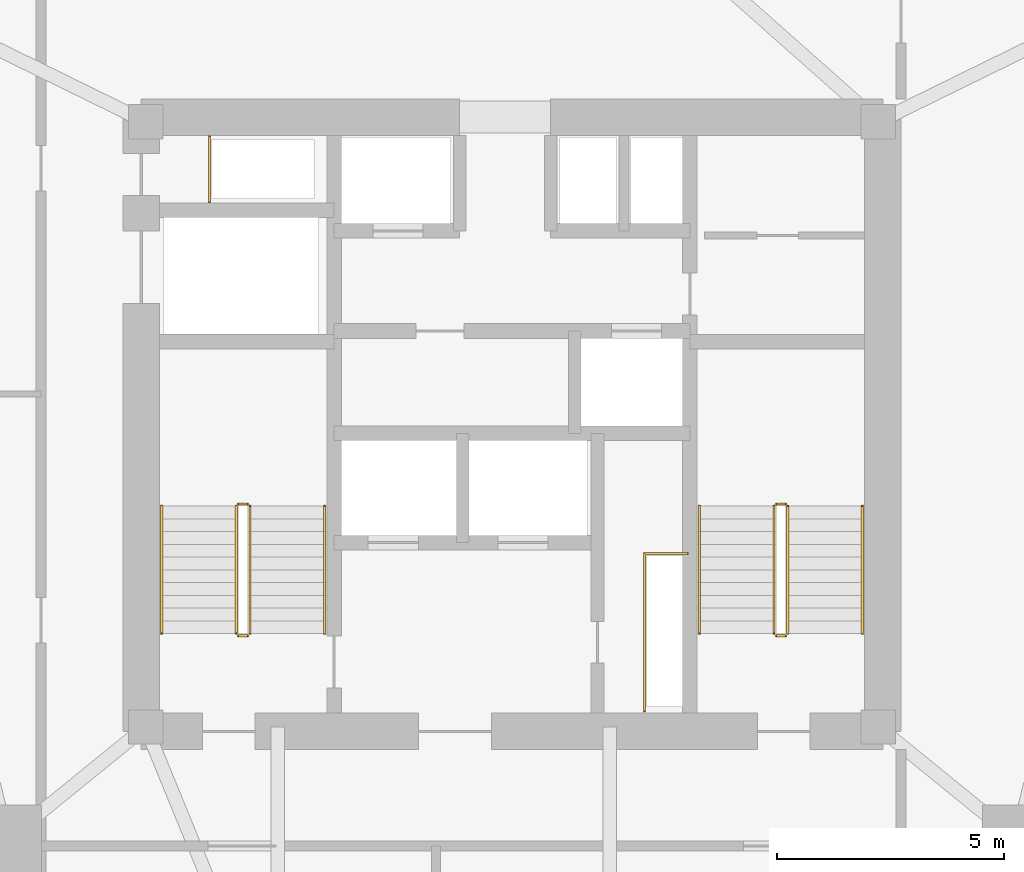
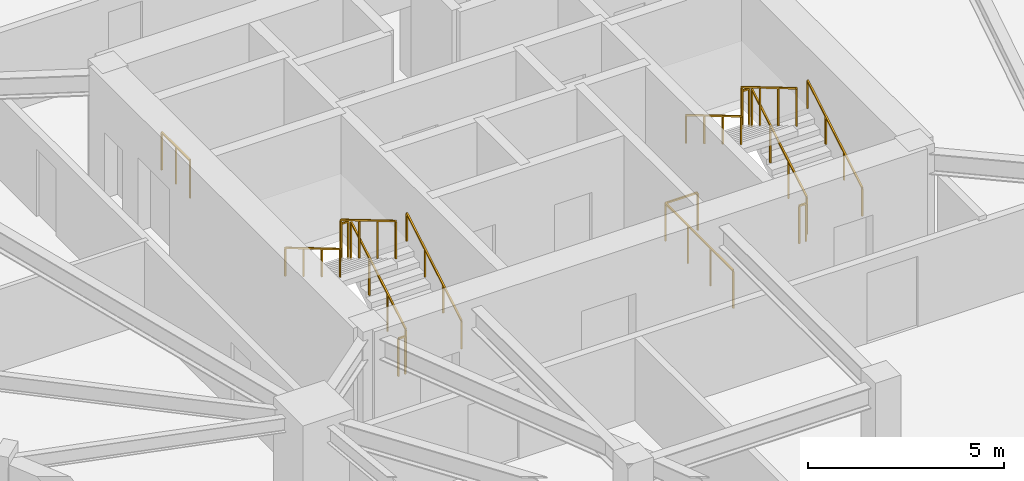
# One storey, part 15 of 15: 14 railings.
"""IFC4 building model written with IfcOpenShell, lengths in metres."""

from ifc_helpers import new_model, si_unit, direction, frame, origin, origin_2d, place, context, subcontext, project, spatial, rectangle, extrude, material, type_object, element, save


model = new_model("IFC4")

# Units and contexts
model_context = context("Model", 3, precision=1e-05, world=origin(), true_north=direction((0.0, 1.0)))
body_context = subcontext(model_context, "Body", "Model", "MODEL_VIEW")
ifc_project = project(units=[si_unit("LENGTHUNIT", "METRE"), si_unit("AREAUNIT", "SQUARE_METRE"), si_unit("VOLUMEUNIT", "CUBIC_METRE"), si_unit("PLANEANGLEUNIT", "RADIAN"), si_unit("MASSUNIT", "GRAM", prefix="KILO")], contexts=[model_context])

# Site, building, storey
site_placement = place(None, origin())
site = spatial("IfcSite", under=ifc_project, at=site_placement, CompositionType="ELEMENT")
building_placement = place(site_placement, origin())
building = spatial("IfcBuilding", under=site, at=building_placement, Name="Talyreon Biosciences Tower", CompositionType="ELEMENT")
storey_placement = place(building_placement, frame((0.0, 0.0, 127.199951171875)))
storey = spatial("IfcBuildingStorey", under=building, at=storey_placement, Name="L33", CompositionType="ELEMENT", Elevation=127.199951171875)

# Railings
ifc_material_1 = material(Name="Brushed stainless-steel tubular handrail", Category="steel")
railing_type_1 = type_object("IfcRailingType", Name="StairWallHandrail_900", PredefinedType="HANDRAIL", material=ifc_material_1)
railing_1_placement = place(storey_placement, frame((61.8798828125, 63.39990234375, 0.166015625)))
element("IfcRailing", 1, at=railing_1_placement, inside=storey, type_object=railing_type_1, Name="L33 ST-1 stair handrail 1", PredefinedType="HANDRAIL", context=body_context, shape_type="SweptSolid", body=[
    extrude(rectangle(XDim=0.048095703125, YDim=0.048095703125, at=origin_2d()), frame((0.0, 0.0, 0.8759765625), z_axis=(0.0, 0.860339051648, 0.50972219513), x_axis=(-1.0, 0.0, 0.0)), (0.0, 0.0, 1.0), 3.254638671875),
    extrude(rectangle(XDim=0.0419921875, YDim=0.0419921875, at=origin_2d()), origin(), (0.0, 0.0, 1.0), 0.851806640625),
    extrude(rectangle(XDim=0.0419921875, YDim=0.0419921875, at=origin_2d()), frame((0.0, 0.933349609375, 0.552978515625)), (0.0, 0.0, 1.0), 0.851806640625),
    extrude(rectangle(XDim=0.0419921875, YDim=0.0419921875, at=origin_2d()), frame((0.0, 1.86669921875, 1.10595703125)), (0.0, 0.0, 1.0), 0.851806640625),
    extrude(rectangle(XDim=0.0419921875, YDim=0.0419921875, at=origin_2d()), frame((0.0, 2.800048828125, 1.658935546875)), (0.0, 0.0, 1.0), 0.851806640625),
])
railing_2_placement = place(storey_placement, frame((58.300048828125, 66.199951171875, 1.990966796875)))
element("IfcRailing", 2, at=railing_2_placement, inside=storey, type_object=railing_type_1, Name="L33 ST-1 stair handrail 2", PredefinedType="HANDRAIL", context=body_context, shape_type="SweptSolid", body=[
    extrude(rectangle(XDim=0.048095703125, YDim=0.048095703125, at=origin_2d()), frame((0.0, 0.0, 0.8759765625), z_axis=(0.0, -0.860306154799, 0.50977771628), x_axis=(1.0, 0.0, 0.0)), (0.0, 0.0, 1.0), 3.254638671875),
    extrude(rectangle(XDim=0.0419921875, YDim=0.0419921875, at=origin_2d()), origin(), (0.0, 0.0, 1.0), 0.851806640625),
    extrude(rectangle(XDim=0.0419921875, YDim=0.0419921875, at=origin_2d()), frame((0.0, -0.933349609375, 0.552978515625)), (0.0, 0.0, 1.0), 0.851806640625),
    extrude(rectangle(XDim=0.0419921875, YDim=0.0419921875, at=origin_2d()), frame((0.0, -1.86669921875, 1.106201171875)), (0.0, 0.0, 1.0), 0.851806640625),
    extrude(rectangle(XDim=0.0419921875, YDim=0.0419921875, at=origin_2d()), frame((0.0, -2.800048828125, 1.6591796875)), (0.0, 0.0, 1.0), 0.851806640625),
])
railing_3_placement = place(storey_placement, frame((73.699951171875, 63.39990234375, 0.166015625)))
element("IfcRailing", 3, at=railing_3_placement, inside=storey, type_object=railing_type_1, Name="L33 ST-2 stair handrail 1", PredefinedType="HANDRAIL", context=body_context, shape_type="SweptSolid", body=[
    extrude(rectangle(XDim=0.048095703125, YDim=0.048095703125, at=origin_2d()), frame((0.0, 0.0, 0.8759765625), z_axis=(0.0, 0.860339051648, 0.50972219513), x_axis=(-1.0, 0.0, 0.0)), (0.0, 0.0, 1.0), 3.254638671875),
    extrude(rectangle(XDim=0.0419921875, YDim=0.0419921875, at=origin_2d()), origin(), (0.0, 0.0, 1.0), 0.851806640625),
    extrude(rectangle(XDim=0.0419921875, YDim=0.0419921875, at=origin_2d()), frame((0.0, 0.933349609375, 0.552978515625)), (0.0, 0.0, 1.0), 0.851806640625),
    extrude(rectangle(XDim=0.0419921875, YDim=0.0419921875, at=origin_2d()), frame((0.0, 1.86669921875, 1.10595703125)), (0.0, 0.0, 1.0), 0.851806640625),
    extrude(rectangle(XDim=0.0419921875, YDim=0.0419921875, at=origin_2d()), frame((0.0, 2.800048828125, 1.658935546875)), (0.0, 0.0, 1.0), 0.851806640625),
])
railing_4_placement = place(storey_placement, frame((70.1201171875, 66.199951171875, 1.990966796875)))
element("IfcRailing", 4, at=railing_4_placement, inside=storey, type_object=railing_type_1, Name="L33 ST-2 stair handrail 2", PredefinedType="HANDRAIL", context=body_context, shape_type="SweptSolid", body=[
    extrude(rectangle(XDim=0.048095703125, YDim=0.048095703125, at=origin_2d()), frame((0.0, 0.0, 0.8759765625), z_axis=(0.0, -0.860306154799, 0.50977771628), x_axis=(1.0, 0.0, 0.0)), (0.0, 0.0, 1.0), 3.254638671875),
    extrude(rectangle(XDim=0.0419921875, YDim=0.0419921875, at=origin_2d()), origin(), (0.0, 0.0, 1.0), 0.851806640625),
    extrude(rectangle(XDim=0.0419921875, YDim=0.0419921875, at=origin_2d()), frame((0.0, -0.933349609375, 0.552978515625)), (0.0, 0.0, 1.0), 0.851806640625),
    extrude(rectangle(XDim=0.0419921875, YDim=0.0419921875, at=origin_2d()), frame((0.0, -1.86669921875, 1.106201171875)), (0.0, 0.0, 1.0), 0.851806640625),
    extrude(rectangle(XDim=0.0419921875, YDim=0.0419921875, at=origin_2d()), frame((0.0, -2.800048828125, 1.6591796875)), (0.0, 0.0, 1.0), 0.851806640625),
])
ifc_material_2 = material(Name="Painted galvanised steel post-and-rail balustrade", Category="steel")
railing_type_2 = type_object("IfcRailingType", Name="TerraceStairGuard_1200", PredefinedType="GUARDRAIL", material=ifc_material_2)
railing_5_placement = place(storey_placement, frame((60.239990234375, 63.39990234375, 0.166015625)))
element("IfcRailing", 5, at=railing_5_placement, inside=storey, type_object=railing_type_2, Name="L33 ST-1 stair guard 1", PredefinedType="GUARDRAIL", context=body_context, shape_type="SweptSolid", body=[
    extrude(rectangle(XDim=0.048095703125, YDim=0.048095703125, at=origin_2d()), frame((0.0, 0.0, 1.17578125), z_axis=(0.0, 0.860339051648, 0.50972219513), x_axis=(-1.0, 0.0, 0.0)), (0.0, 0.0, 1.0), 3.254638671875),
    extrude(rectangle(XDim=0.0419921875, YDim=0.0419921875, at=origin_2d()), origin(), (0.0, 0.0, 1.0), 1.15185546875),
    extrude(rectangle(XDim=0.0419921875, YDim=0.0419921875, at=origin_2d()), frame((0.0, 0.933349609375, 0.552978515625)), (0.0, 0.0, 1.0), 1.15185546875),
    extrude(rectangle(XDim=0.0419921875, YDim=0.0419921875, at=origin_2d()), frame((0.0, 1.86669921875, 1.10595703125)), (0.0, 0.0, 1.0), 1.15185546875),
    extrude(rectangle(XDim=0.0419921875, YDim=0.0419921875, at=origin_2d()), frame((0.0, 2.800048828125, 1.658935546875)), (0.0, 0.0, 1.0), 1.15185546875),
])
railing_6_placement = place(storey_placement, frame((60.18994140625, 66.25, 1.824951171875)))
element("IfcRailing", 6, at=railing_6_placement, inside=storey, type_object=railing_type_2, Name="L33 ST-1 stair guard 2", PredefinedType="GUARDRAIL", context=body_context, shape_type="SweptSolid", body=[
    extrude(rectangle(XDim=0.048095703125, YDim=0.048095703125, at=origin_2d()), frame((0.0, 0.0, 1.17578125), z_axis=(-1.0, 0.0, 0.0), x_axis=(0.0, -1.0, 0.0)), (0.0, 0.0, 1.0), 0.199951171875),
    extrude(rectangle(XDim=0.0419921875, YDim=0.0419921875, at=origin_2d()), origin(), (0.0, 0.0, 1.0), 1.15185546875),
    extrude(rectangle(XDim=0.0419921875, YDim=0.0419921875, at=origin_2d()), frame((-0.199951171875, 0.0, 0.0)), (0.0, 0.0, 1.0), 1.15185546875),
])
railing_7_placement = place(storey_placement, frame((59.93994140625, 66.199951171875, 1.990966796875)))
element("IfcRailing", 7, at=railing_7_placement, inside=storey, type_object=railing_type_2, Name="L33 ST-1 stair guard 3", PredefinedType="GUARDRAIL", context=body_context, shape_type="SweptSolid", body=[
    extrude(rectangle(XDim=0.048095703125, YDim=0.048095703125, at=origin_2d()), frame((0.0, 0.0, 1.17578125), z_axis=(0.0, -0.860306154799, 0.50977771628), x_axis=(1.0, 0.0, 0.0)), (0.0, 0.0, 1.0), 3.254638671875),
    extrude(rectangle(XDim=0.0419921875, YDim=0.0419921875, at=origin_2d()), origin(), (0.0, 0.0, 1.0), 1.15185546875),
    extrude(rectangle(XDim=0.0419921875, YDim=0.0419921875, at=origin_2d()), frame((0.0, -0.933349609375, 0.552978515625)), (0.0, 0.0, 1.0), 1.15185546875),
    extrude(rectangle(XDim=0.0419921875, YDim=0.0419921875, at=origin_2d()), frame((0.0, -1.86669921875, 1.106201171875)), (0.0, 0.0, 1.0), 1.15185546875),
    extrude(rectangle(XDim=0.0419921875, YDim=0.0419921875, at=origin_2d()), frame((0.0, -2.800048828125, 1.6591796875)), (0.0, 0.0, 1.0), 1.15185546875),
])
railing_8_placement = place(storey_placement, frame((60.18994140625, 63.35009765625, 0.0)))
element("IfcRailing", 8, at=railing_8_placement, inside=storey, type_object=railing_type_2, Name="L33 ST-1 stair guard 4", PredefinedType="GUARDRAIL", context=body_context, shape_type="SweptSolid", body=[
    extrude(rectangle(XDim=0.048095703125, YDim=0.048095703125, at=origin_2d()), frame((0.0, 0.0, 1.17578125), z_axis=(-1.0, 0.0, 0.0), x_axis=(0.0, -1.0, 0.0)), (0.0, 0.0, 1.0), 0.199951171875),
    extrude(rectangle(XDim=0.0419921875, YDim=0.0419921875, at=origin_2d()), origin(), (0.0, 0.0, 1.0), 1.15185546875),
    extrude(rectangle(XDim=0.0419921875, YDim=0.0419921875, at=origin_2d()), frame((-0.199951171875, 0.0, 0.0)), (0.0, 0.0, 1.0), 1.15185546875),
])
railing_9_placement = place(storey_placement, frame((72.06005859375, 63.39990234375, 0.166015625)))
element("IfcRailing", 9, at=railing_9_placement, inside=storey, type_object=railing_type_2, Name="L33 ST-2 stair guard 1", PredefinedType="GUARDRAIL", context=body_context, shape_type="SweptSolid", body=[
    extrude(rectangle(XDim=0.048095703125, YDim=0.048095703125, at=origin_2d()), frame((0.0, 0.0, 1.17578125), z_axis=(0.0, 0.860339051648, 0.50972219513), x_axis=(-1.0, 0.0, 0.0)), (0.0, 0.0, 1.0), 3.254638671875),
    extrude(rectangle(XDim=0.0419921875, YDim=0.0419921875, at=origin_2d()), origin(), (0.0, 0.0, 1.0), 1.15185546875),
    extrude(rectangle(XDim=0.0419921875, YDim=0.0419921875, at=origin_2d()), frame((0.0, 0.933349609375, 0.552978515625)), (0.0, 0.0, 1.0), 1.15185546875),
    extrude(rectangle(XDim=0.0419921875, YDim=0.0419921875, at=origin_2d()), frame((0.0, 1.86669921875, 1.10595703125)), (0.0, 0.0, 1.0), 1.15185546875),
    extrude(rectangle(XDim=0.0419921875, YDim=0.0419921875, at=origin_2d()), frame((0.0, 2.800048828125, 1.658935546875)), (0.0, 0.0, 1.0), 1.15185546875),
])
railing_10_placement = place(storey_placement, frame((72.010009765625, 66.25, 1.824951171875)))
element("IfcRailing", 10, at=railing_10_placement, inside=storey, type_object=railing_type_2, Name="L33 ST-2 stair guard 2", PredefinedType="GUARDRAIL", context=body_context, shape_type="SweptSolid", body=[
    extrude(rectangle(XDim=0.048095703125, YDim=0.048095703125, at=origin_2d()), frame((0.0, 0.0, 1.17578125), z_axis=(-1.0, 0.0, 0.0), x_axis=(0.0, -1.0, 0.0)), (0.0, 0.0, 1.0), 0.199951171875),
    extrude(rectangle(XDim=0.0419921875, YDim=0.0419921875, at=origin_2d()), origin(), (0.0, 0.0, 1.0), 1.15185546875),
    extrude(rectangle(XDim=0.0419921875, YDim=0.0419921875, at=origin_2d()), frame((-0.199951171875, 0.0, 0.0)), (0.0, 0.0, 1.0), 1.15185546875),
])
railing_11_placement = place(storey_placement, frame((71.760009765625, 66.199951171875, 1.990966796875)))
element("IfcRailing", 11, at=railing_11_placement, inside=storey, type_object=railing_type_2, Name="L33 ST-2 stair guard 3", PredefinedType="GUARDRAIL", context=body_context, shape_type="SweptSolid", body=[
    extrude(rectangle(XDim=0.048095703125, YDim=0.048095703125, at=origin_2d()), frame((0.0, 0.0, 1.17578125), z_axis=(0.0, -0.860306154799, 0.50977771628), x_axis=(1.0, 0.0, 0.0)), (0.0, 0.0, 1.0), 3.254638671875),
    extrude(rectangle(XDim=0.0419921875, YDim=0.0419921875, at=origin_2d()), origin(), (0.0, 0.0, 1.0), 1.15185546875),
    extrude(rectangle(XDim=0.0419921875, YDim=0.0419921875, at=origin_2d()), frame((0.0, -0.933349609375, 0.552978515625)), (0.0, 0.0, 1.0), 1.15185546875),
    extrude(rectangle(XDim=0.0419921875, YDim=0.0419921875, at=origin_2d()), frame((0.0, -1.86669921875, 1.106201171875)), (0.0, 0.0, 1.0), 1.15185546875),
    extrude(rectangle(XDim=0.0419921875, YDim=0.0419921875, at=origin_2d()), frame((0.0, -2.800048828125, 1.6591796875)), (0.0, 0.0, 1.0), 1.15185546875),
])
railing_12_placement = place(storey_placement, frame((72.010009765625, 63.35009765625, 0.0)))
element("IfcRailing", 12, at=railing_12_placement, inside=storey, type_object=railing_type_2, Name="L33 ST-2 stair guard 4", PredefinedType="GUARDRAIL", context=body_context, shape_type="SweptSolid", body=[
    extrude(rectangle(XDim=0.048095703125, YDim=0.048095703125, at=origin_2d()), frame((0.0, 0.0, 1.17578125), z_axis=(-1.0, 0.0, 0.0), x_axis=(0.0, -1.0, 0.0)), (0.0, 0.0, 1.0), 0.199951171875),
    extrude(rectangle(XDim=0.0419921875, YDim=0.0419921875, at=origin_2d()), origin(), (0.0, 0.0, 1.0), 1.15185546875),
    extrude(rectangle(XDim=0.0419921875, YDim=0.0419921875, at=origin_2d()), frame((-0.199951171875, 0.0, 0.0)), (0.0, 0.0, 1.0), 1.15185546875),
])
railing_13_placement = place(storey_placement, frame((59.35009765625, 72.8798828125, 0.0)))
element("IfcRailing", 13, at=railing_13_placement, inside=storey, type_object=railing_type_2, Name="L33 Exhaust Riser Maintenance Guardrail", PredefinedType="GUARDRAIL", context=body_context, shape_type="SweptSolid", body=[
    extrude(rectangle(XDim=0.048095703125, YDim=0.048095703125, at=origin_2d()), frame((0.0, 0.0, 1.17578125), z_axis=(0.0, 1.0, 0.0), x_axis=(-1.0, 0.0, 0.0)), (0.0, 0.0, 1.0), 1.4501953125),
    extrude(rectangle(XDim=0.0419921875, YDim=0.0419921875, at=origin_2d()), origin(), (0.0, 0.0, 1.0), 1.15185546875),
    extrude(rectangle(XDim=0.0419921875, YDim=0.0419921875, at=origin_2d()), frame((0.0, 0.72509765625, 0.0)), (0.0, 0.0, 1.0), 1.15185546875),
    extrude(rectangle(XDim=0.0419921875, YDim=0.0419921875, at=origin_2d()), frame((0.0, 1.4501953125, 0.0)), (0.0, 0.0, 1.0), 1.15185546875),
])
railing_14_placement = place(storey_placement, frame((68.909912109375, 61.699951171875, 0.0)))
element("IfcRailing", 14, at=railing_14_placement, inside=storey, type_object=railing_type_2, Name="L33 Electrical Riser Maintenance Guardrail", PredefinedType="GUARDRAIL", context=body_context, shape_type="SweptSolid", body=[
    extrude(rectangle(XDim=0.048095703125, YDim=0.048095703125, at=origin_2d()), frame((0.0, 0.0, 1.17578125), z_axis=(0.0, 1.0, 0.0), x_axis=(-1.0, 0.0, 0.0)), (0.0, 0.0, 1.0), 3.4599609375),
    extrude(rectangle(XDim=0.048095703125, YDim=0.048095703125, at=origin_2d()), frame((0.0, 3.4599609375, 1.17578125), z_axis=(1.0, 0.0, 0.0), x_axis=(0.0, 1.0, 0.0)), (0.0, 0.0, 1.0), 0.9501953125),
    extrude(rectangle(XDim=0.0419921875, YDim=0.0419921875, at=origin_2d()), origin(), (0.0, 0.0, 1.0), 1.15185546875),
    extrude(rectangle(XDim=0.0419921875, YDim=0.0419921875, at=origin_2d()), frame((0.0, 1.1533203125, 0.0)), (0.0, 0.0, 1.0), 1.15185546875),
    extrude(rectangle(XDim=0.0419921875, YDim=0.0419921875, at=origin_2d()), frame((0.0, 2.306640625, 0.0)), (0.0, 0.0, 1.0), 1.15185546875),
    extrude(rectangle(XDim=0.0419921875, YDim=0.0419921875, at=origin_2d()), frame((0.0, 3.4599609375, 0.0)), (0.0, 0.0, 1.0), 1.15185546875),
    extrude(rectangle(XDim=0.0419921875, YDim=0.0419921875, at=origin_2d()), frame((0.9501953125, 3.4599609375, 0.0)), (0.0, 0.0, 1.0), 1.15185546875),
])

save(model, "model.ifc")
